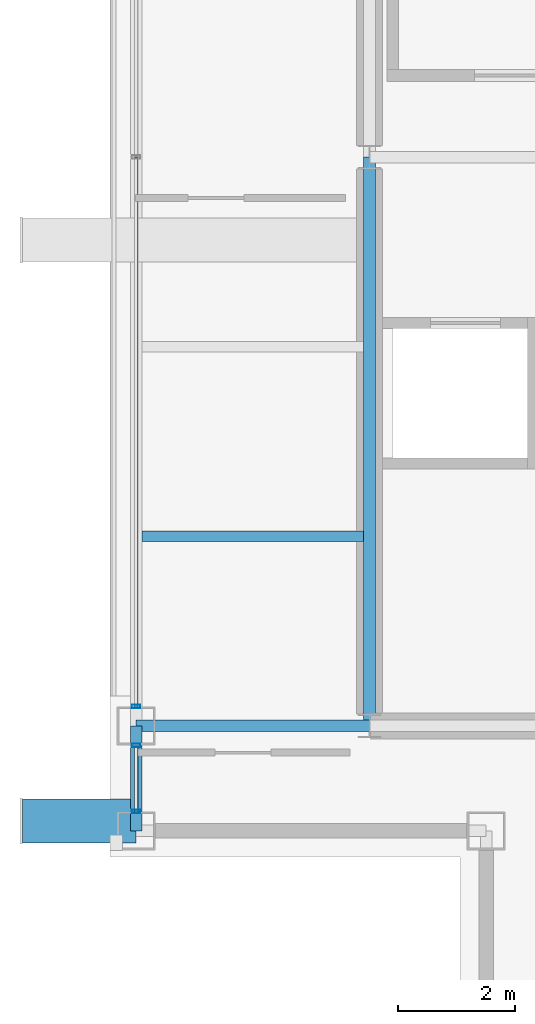
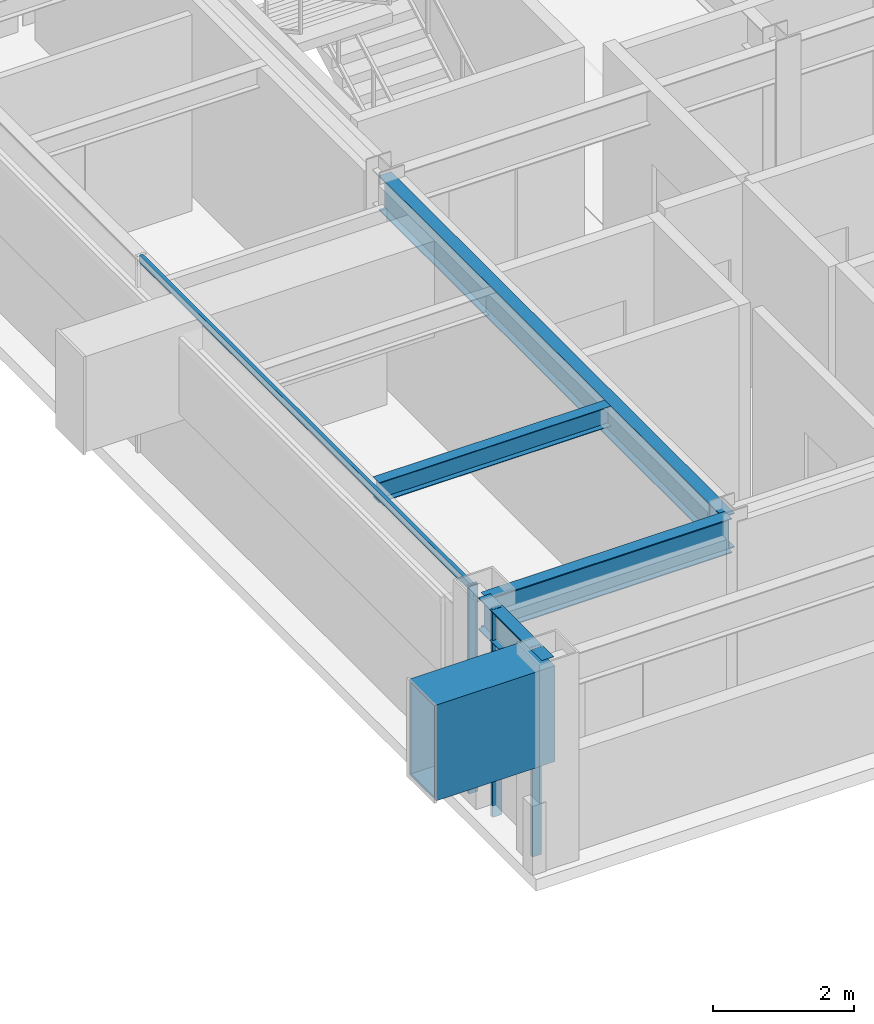
# One storey, part 3 of 20: 5 beams, 5 members, 2 elements without a shape of their own.
"""IFC4 building model written with IfcOpenShell, lengths in metres."""

from ifc_helpers import new_model, si_unit, direction, frame, origin, origin_2d, place, context, subcontext, project, spatial, hollow_rectangle, i_section, extrude, material, layer, layer_set, material_profile, profile_set, type_object, element, aggregate, save


model = new_model("IFC4")

# Units and contexts
model_context = context("Model", 3, precision=1e-05, world=origin(), true_north=direction((0.0, 1.0)))
body_context = subcontext(model_context, "Body", "Model", "MODEL_VIEW")
ifc_project = project(units=[si_unit("LENGTHUNIT", "METRE"), si_unit("AREAUNIT", "SQUARE_METRE"), si_unit("VOLUMEUNIT", "CUBIC_METRE"), si_unit("PLANEANGLEUNIT", "RADIAN"), si_unit("MASSUNIT", "GRAM", prefix="KILO")], contexts=[model_context])

# Site, building, storey
site_placement = place(None, origin())
site = spatial("IfcSite", under=ifc_project, at=site_placement, CompositionType="ELEMENT")
building_placement = place(site_placement, origin())
building = spatial("IfcBuilding", under=site, at=building_placement, Name="Brelmoor Portico Tower", CompositionType="ELEMENT")
storey_placement = place(building_placement, frame((0.0, 0.0, 243.60009765625)))
storey = spatial("IfcBuildingStorey", under=building, at=storey_placement, Name="L64", CompositionType="ELEMENT", Elevation=243.60009765625)

# Beams
ifc_material_1 = material(Name="Steel Q355B", Category="steel")
ifc_material_profile_1 = material_profile(ifc_material_1, i_section(OverallWidth=0.175048828125, OverallDepth=0.35009765625, WebThickness=0.007080078125, FlangeThickness=0.010986328125, at=origin_2d()), Name="HN 350x175x7x11")
ifc_profile_set_1 = profile_set([ifc_material_profile_1], Name="Steel Q355B")
beam_type_1 = type_object("IfcBeamType", Name="BM-JS-350", PredefinedType="JOIST", material=ifc_profile_set_1)
beam_1_placement = place(storey_placement, frame((-18.449951171875, -6.5, 3.224853515625), z_axis=(1.0, 0.0, 0.0), x_axis=(0.0, 1.0, 0.0)))
element("IfcBeam", 1, at=beam_1_placement, inside=storey, type_object=beam_type_1, Name="L64 Secondary Wing Joist JS-W07", PredefinedType="JOIST", context=body_context, shape_type="SweptSolid", body=[
    extrude(i_section(OverallWidth=0.175048828125, OverallDepth=0.35009765625, WebThickness=0.007080078125, FlangeThickness=0.010986328125, at=origin_2d()), origin(), (0.0, 0.0, 1.0), 3.800048828125),
])
ifc_material_profile_2 = material_profile(ifc_material_1, hollow_rectangle(XDim=0.75, YDim=1.659912109375, WallThickness=0.0419921875, at=origin_2d()), Name="BOX 750x1660x42")
ifc_profile_set_2 = profile_set([ifc_material_profile_2], Name="Steel Q355B")
beam_type_2 = type_object("IfcBeamType", Name="BM-PF-CANT", PredefinedType="BEAM", material=ifc_profile_set_2)
beam_2_placement = place(storey_placement, frame((-20.5, -11.3798828125, 2.56982421875), z_axis=(1.0, 0.0, 0.0), x_axis=(0.0, 1.0, 0.0)))
element("IfcBeam", 2, at=beam_2_placement, inside=storey, type_object=beam_type_2, Name="L64 Picture-Frame Outrigger Transfer Cantilever PFB-03", PredefinedType="BEAM", context=body_context, shape_type="SweptSolid", body=[
    extrude(hollow_rectangle(XDim=0.75, YDim=1.659912109375, WallThickness=0.0419921875, at=origin_2d()), origin(), (0.0, 0.0, 1.0), 1.949951171875),
])
ifc_material_profile_3 = material_profile(ifc_material_1, i_section(OverallWidth=0.199951171875, OverallDepth=0.60009765625, WebThickness=0.010986328125, FlangeThickness=0.01708984375, at=origin_2d()), Name="HN 600x200x11x17")
ifc_profile_set_3 = profile_set([ifc_material_profile_3], Name="Steel Q355B")
beam_type_3 = type_object("IfcBeamType", Name="BM-PG-600", PredefinedType="BEAM", material=ifc_profile_set_3)
beam_3_placement = place(storey_placement, frame((-14.550048828125, -9.75, 3.099853515625), z_axis=(0.0, 1.0, 0.0), x_axis=(-1.0, 0.0, 0.0)))
element("IfcBeam", 3, at=beam_3_placement, inside=storey, type_object=beam_type_3, Name="L64 Primary Floor Girder PG-01", PredefinedType="BEAM", context=body_context, shape_type="SweptSolid", body=[
    extrude(i_section(OverallWidth=0.199951171875, OverallDepth=0.60009765625, WebThickness=0.010986328125, FlangeThickness=0.01708984375, at=origin_2d()), origin(), (0.0, 0.0, 1.0), 9.75),
])
beam_4_placement = place(storey_placement, frame((-18.550048828125, -9.75, 3.099853515625), z_axis=(1.0, 0.0, 0.0), x_axis=(0.0, 1.0, 0.0)))
element("IfcBeam", 4, at=beam_4_placement, inside=storey, type_object=beam_type_3, Name="L64 Primary Floor Girder PG-11", PredefinedType="BEAM", context=body_context, shape_type="SweptSolid", body=[
    extrude(i_section(OverallWidth=0.199951171875, OverallDepth=0.60009765625, WebThickness=0.010986328125, FlangeThickness=0.01708984375, at=origin_2d()), origin(), (0.0, 0.0, 1.0), 4.0),
])
ifc_material_profile_4 = material_profile(ifc_material_1, i_section(OverallWidth=0.199951171875, OverallDepth=0.550048828125, WebThickness=0.010009765625, FlangeThickness=0.01611328125, at=origin_2d()), Name="HN 550x200x10x16")
ifc_profile_set_4 = profile_set([ifc_material_profile_4], Name="Steel Q355B")
beam_type_4 = type_object("IfcBeamType", Name="BM-SP-550", PredefinedType="SPANDREL", material=ifc_profile_set_4)
beam_5_placement = place(storey_placement, frame((-18.550048828125, -11.550048828125, 3.125), z_axis=(0.0, 1.0, 0.0), x_axis=(-1.0, 0.0, 0.0)))
element("IfcBeam", 5, at=beam_5_placement, inside=storey, type_object=beam_type_4, Name="L64 Perimeter Spandrel Beam SP-11", PredefinedType="SPANDREL", context=body_context, shape_type="SweptSolid", body=[
    extrude(i_section(OverallWidth=0.199951171875, OverallDepth=0.550048828125, WebThickness=0.010009765625, FlangeThickness=0.01611328125, at=origin_2d()), origin(), (0.0, 0.0, 1.0), 1.800048828125),
])

# Curtain wall, members
ifc_material_2 = material(Name="Anodised Aluminium Alloy 6063-T6", Category="aluminium")
ifc_layer = layer(ifc_material_2, 0.179931640625)
ifc_layer_set = layer_set([ifc_layer], Name="Anodised Aluminium Alloy 6063-T6")
curtain_wall_type = type_object("IfcCurtainWallType", Name="CW-TOWER-Z4-XB", PredefinedType="NOTDEFINED", material=ifc_layer_set)
curtain_wall_1_placement = place(storey_placement, origin())
curtain_wall_1 = element("IfcCurtainWall", 6, at=curtain_wall_1_placement, inside=storey, type_object=curtain_wall_type, Name="L64 Curtain Wall CW-L64-03-1", PredefinedType="NOTDEFINED")
ifc_material_profile_5 = material_profile(ifc_material_2, hollow_rectangle(XDim=0.06005859375, YDim=0.14990234375, WallThickness=0.00390625, at=origin_2d()), Name="ALU MULLION 60x150")
ifc_profile_set_5 = profile_set([ifc_material_profile_5], Name="Anodised Aluminium Alloy 6063-T6")
member_type_1 = type_object("IfcMemberType", Name="MB-CW-MULL-150", PredefinedType="MULLION", material=ifc_profile_set_5)
member_1_placement = place(storey_placement, frame((-18.550048828125, -11.215087890625, -0.2001953125), z_axis=(0.0, 0.0, 1.0), x_axis=(0.0, 1.0, 0.0)))
member_1 = element("IfcMember", 7, at=member_1_placement, type_object=member_type_1, Name="CW-L64-03-1 Mullion 00", PredefinedType="MULLION", context=body_context, shape_type="SweptSolid", body=[
    extrude(hollow_rectangle(XDim=0.06005859375, YDim=0.14990234375, WallThickness=0.00390625, at=origin_2d()), origin(), (0.0, 0.0, 1.0), 3.60009765625),
])
member_2_placement = place(storey_placement, frame((-18.550048828125, -10.0849609375, -0.2001953125), z_axis=(0.0, 0.0, 1.0), x_axis=(0.0, 1.0, 0.0)))
member_2 = element("IfcMember", 8, at=member_2_placement, type_object=member_type_1, Name="CW-L64-03-1 Mullion 01", PredefinedType="MULLION", context=body_context, shape_type="SweptSolid", body=[
    extrude(hollow_rectangle(XDim=0.06005859375, YDim=0.14990234375, WallThickness=0.00390625, at=origin_2d()), origin(), (0.0, 0.0, 1.0), 3.60009765625),
])

# Curtain wall, member
curtain_wall_2_placement = place(storey_placement, origin())
curtain_wall_2 = element("IfcCurtainWall", 9, at=curtain_wall_2_placement, inside=storey, type_object=curtain_wall_type, Name="L64 Curtain Wall CW-L64-03-2", PredefinedType="NOTDEFINED")
member_3_placement = place(storey_placement, frame((-18.550048828125, -9.4150390625, -0.2001953125), z_axis=(0.0, 0.0, 1.0), x_axis=(0.0, 1.0, 0.0)))
member_3 = element("IfcMember", 10, at=member_3_placement, type_object=member_type_1, Name="CW-L64-03-2 Mullion 00", PredefinedType="MULLION", context=body_context, shape_type="SweptSolid", body=[
    extrude(hollow_rectangle(XDim=0.06005859375, YDim=0.14990234375, WallThickness=0.00390625, at=origin_2d()), origin(), (0.0, 0.0, 1.0), 3.60009765625),
])

# Member
ifc_material_profile_6 = material_profile(ifc_material_2, hollow_rectangle(XDim=0.06005859375, YDim=0.125, WallThickness=0.00341796875, at=origin_2d()), Name="ALU TRANSOM 60x125")
ifc_profile_set_6 = profile_set([ifc_material_profile_6], Name="Anodised Aluminium Alloy 6063-T6")
member_type_2 = type_object("IfcMemberType", Name="MB-CW-TRAN-125", PredefinedType="USERDEFINED", material=ifc_profile_set_6)
member_4_placement = place(storey_placement, frame((-18.550048828125, -11.215087890625, 3.33740234375), z_axis=(0.0, 1.0, 0.0), x_axis=(-1.0, 0.0, 0.0)))
member_4 = element("IfcMember", 11, at=member_4_placement, type_object=member_type_2, Name="CW-L64-03-1 Transom 1-00", ObjectType="TRANSOM", PredefinedType="USERDEFINED", context=body_context, shape_type="SweptSolid", body=[
    extrude(hollow_rectangle(XDim=0.06005859375, YDim=0.125, WallThickness=0.00341796875, at=origin_2d()), origin(), (0.0, 0.0, 1.0), 1.130126953125),
])

aggregate(curtain_wall_1, [member_1, member_2, member_4])

member_5_placement = place(storey_placement, frame((-18.550048828125, -9.4150390625, 3.33740234375), z_axis=(0.0, 1.0, 0.0), x_axis=(-1.0, 0.0, 0.0)))
member_5 = element("IfcMember", 12, at=member_5_placement, type_object=member_type_2, Name="CW-L64-03-2 Transom 1-00", ObjectType="TRANSOM", PredefinedType="USERDEFINED", context=body_context, shape_type="SweptSolid", body=[
    extrude(hollow_rectangle(XDim=0.06005859375, YDim=0.125, WallThickness=0.00341796875, at=origin_2d()), origin(), (0.0, 0.0, 1.0), 9.4150390625),
])

aggregate(curtain_wall_2, [member_3, member_5])

save(model, "model.ifc")
